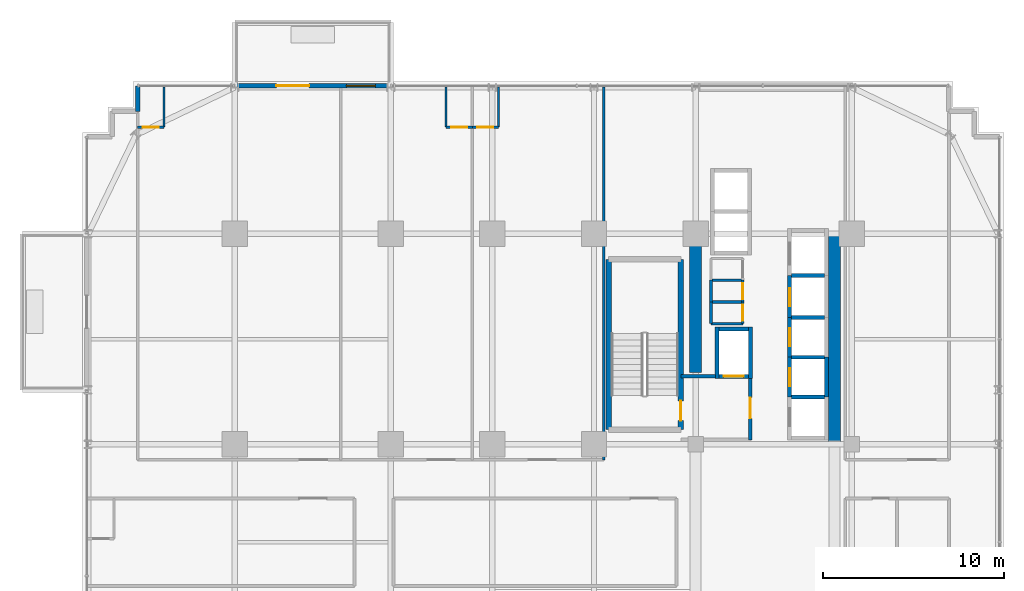
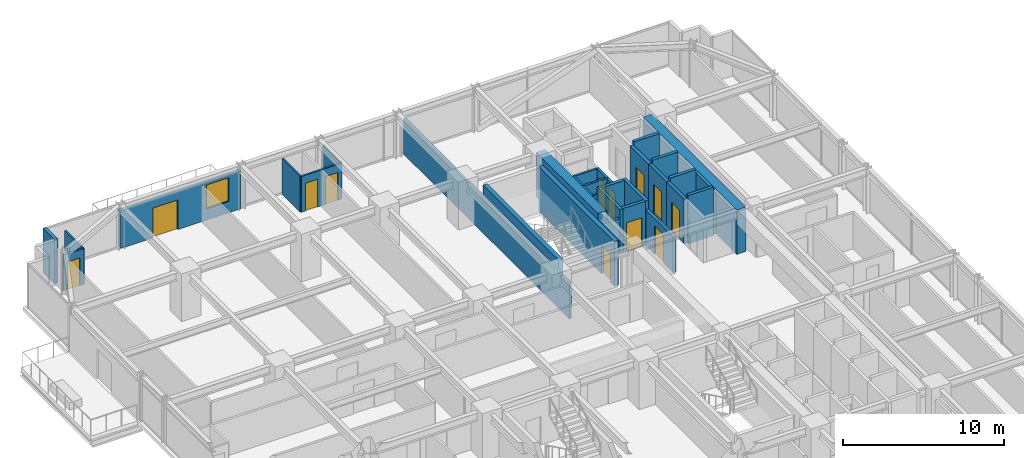
# One storey, part 31 of 36: 34 walls, 12 doors, 1 window, 13 openings.
"""IFC4 building model written with IfcOpenShell, lengths in metres."""

from ifc_helpers import new_model, si_unit, direction, frame, frame_2d, origin, place, context, subcontext, project, spatial, rectangle, extrude, source, transform, mapped, material, layer, layer_set, type_object, element, fill, save


model = new_model("IFC4")

# Units and contexts
model_context = context("Model", 3, precision=1e-05, world=origin(), true_north=direction((0.0, 1.0)))
body_context = subcontext(model_context, "Body", "Model", "MODEL_VIEW")
ifc_project = project(units=[si_unit("LENGTHUNIT", "METRE"), si_unit("AREAUNIT", "SQUARE_METRE"), si_unit("VOLUMEUNIT", "CUBIC_METRE"), si_unit("PLANEANGLEUNIT", "RADIAN"), si_unit("MASSUNIT", "GRAM", prefix="KILO")], contexts=[model_context])

# Site, building, storey
site_placement = place(None, origin())
site = spatial("IfcSite", under=ifc_project, at=site_placement, CompositionType="ELEMENT")
building_placement = place(site_placement, origin())
building = spatial("IfcBuilding", under=site, at=building_placement, Name="Nahalor Promenade Grand Hotel", CompositionType="ELEMENT")
storey_placement = place(building_placement, frame((0.0, 0.0, 76.199951171875)))
storey = spatial("IfcBuildingStorey", under=building, at=storey_placement, Name="L18", CompositionType="ELEMENT", Elevation=76.199951171875)

# Walls
ifc_material_1 = material(Name="Concrete B-60 (C50/60)", Category="concrete")
ifc_layer_1 = layer(ifc_material_1, 0.64990234375)
ifc_layer_set_1 = layer_set([ifc_layer_1], Name="Concrete B-60 (C50/60)")
wall_type_1 = type_object("IfcWallType", Name="Wall-CoreShear-650", PredefinedType="SHEAR", material=ifc_layer_set_1)
shared_shape_1 = source(origin(), body_context, "Body", "SweptSolid", [
    extrude(rectangle(XDim=7.64990234375, YDim=0.64990234375, at=frame_2d((3.824951171875, 0.0))), origin(), (0.0, 0.0, 1.0), 3.3701171875),
])
wall_1_placement = place(storey_placement, frame((8.39990234375, 9.35009765625, 0.0), z_axis=(0.0, 0.0, 1.0), x_axis=(0.0, 1.0, 0.0)))
element("IfcWall", 1, at=wall_1_placement, inside=storey, type_object=wall_type_1, Name="CWALL-L18-NW", PredefinedType="SHEAR", context=body_context, shape_type="MappedRepresentation", body=[
    mapped(shared_shape_1, transform((0.0, 0.0, 0.0), scale=1.0)),
])
shared_shape_2 = source(origin(), body_context, "Body", "SweptSolid", [
    extrude(rectangle(XDim=11.60009765625, YDim=0.64990234375, at=frame_2d((5.800048828125, 0.0))), origin(), (0.0, 0.0, 1.0), 3.3701171875),
])
wall_2_placement = place(storey_placement, frame((16.050048828125, 5.39990234375, 0.0), z_axis=(0.0, 0.0, 1.0), x_axis=(0.0, 1.0, 0.0)))
element("IfcWall", 2, at=wall_2_placement, inside=storey, type_object=wall_type_1, Name="CWALL-L18-NE", PredefinedType="SHEAR", context=body_context, shape_type="MappedRepresentation", body=[
    mapped(shared_shape_2, transform((0.0, 0.0, 0.0), scale=1.0)),
])
ifc_material_2 = material(Name="Concrete B-50 (C40/50)", Category="concrete")
ifc_layer_2 = layer(ifc_material_2, 0.300048828125)
ifc_layer_set_2 = layer_set([ifc_layer_2], Name="Concrete B-50 (C40/50)")
wall_type_2 = type_object("IfcWallType", Name="Wall-ShaftShear-300", PredefinedType="SHEAR", material=ifc_layer_set_2)
shared_shape_3 = source(origin(), body_context, "Body", "SweptSolid", [
    extrude(rectangle(XDim=9.380126953125, YDim=0.300048828125, at=frame_2d((4.68994140625, 0.0))), origin(), (0.0, 0.0, 1.0), 3.3701171875),
])
wall_3_placement = place(storey_placement, frame((3.610107421875, 6.2099609375, 0.0), z_axis=(0.0, 0.0, 1.0), x_axis=(0.0, 1.0, 0.0)))
element("IfcWall", 3, at=wall_3_placement, inside=storey, type_object=wall_type_2, Name="L18 Exit Stair ST1 Shaft Wall W", PredefinedType="SHEAR", context=body_context, shape_type="MappedRepresentation", body=[
    mapped(shared_shape_3, transform((0.0, 0.0, 0.0), scale=1.0)),
])

# Wall, opening, door
wall_4_placement = place(storey_placement, frame((7.590087890625, 6.2099609375, 0.0), z_axis=(0.0, 0.0, 1.0), x_axis=(0.0, 1.0, 0.0)))
wall_4 = element("IfcWall", 4, at=wall_4_placement, inside=storey, type_object=wall_type_2, Name="L18 Exit Stair ST1 Shaft Wall E", PredefinedType="SHEAR", context=body_context, shape_type="MappedRepresentation", body=[
    mapped(shared_shape_3, transform((0.0, 0.0, 0.0), scale=1.0)),
])
opening_1_placement = place(wall_4_placement, frame((0.489990234375, 0.0, 0.0)))
opening_1 = element("IfcOpeningElement", 5, at=opening_1_placement, cuts=wall_4, Name="Opening D-ST1", PredefinedType="OPENING", context=body_context, shape_type="SweptSolid", body=[
    extrude(rectangle(XDim=1.10009765625, YDim=2.14990234375, at=frame_2d((0.550048828125, 1.074951171875))), frame((0.0, 0.159912109375, 0.0), z_axis=(0.0, -1.0, 0.0), x_axis=(1.0, 0.0, 0.0)), (0.0, 0.0, 1.0), 0.320068359375),
])
ifc_material_3 = material(Name="Steel S355JR", Category="steel")
door_type_1 = type_object("IfcDoorType", Name="Door-StairFire-1100", OperationType="NOTDEFINED", PredefinedType="DOOR", material=ifc_material_3)
shared_shape_4 = source(origin(), body_context, "Body", "SweptSolid", [
    extrude(rectangle(XDim=1.10009765625, YDim=2.14990234375, at=frame_2d((0.550048828125, 1.074951171875))), frame((0.0, 0.02490234375, 0.0), z_axis=(0.0, -1.0, 0.0), x_axis=(1.0, 0.0, 0.0)), (0.0, 0.0, 1.0), 0.050048828125),
])
door_1_placement = place(opening_1_placement, origin())
door_1 = element("IfcDoor", 6, at=door_1_placement, inside=storey, type_object=door_type_1, Name="DR-STAIR-ST1-L18", OperationType="SINGLE_SWING_LEFT", OverallHeight=2.14990234375, OverallWidth=1.10009765625, PredefinedType="DOOR", context=body_context, shape_type="MappedRepresentation", body=[
    mapped(shared_shape_4, transform((0.0, 0.0, 0.0), scale=1.0)),
])
fill(opening_1, door_1)

# Walls
ifc_layer_3 = layer(ifc_material_2, 0.219970703125)
ifc_layer_set_3 = layer_set([ifc_layer_3], Name="Concrete B-50 (C40/50)")
wall_type_3 = type_object("IfcWallType", Name="Wall-LiftShaft-220", PredefinedType="SHEAR", material=ifc_layer_set_3)
shared_shape_5 = source(origin(), body_context, "Body", "SweptSolid", [
    extrude(rectangle(XDim=1.820068359375, YDim=0.219970703125, at=frame_2d((0.91015625, 0.0))), origin(), (0.0, 0.0, 1.0), 3.650146484375),
])
for number, where, z_axis, x_axis, name in (
    (7, (13.68994140625, 8.0, 0.0), (0.0, 0.0, 1.0), (1.0, 0.0, 0.0), "L18 Lift PL1 Hoistway Wall N"),
    (8, (13.68994140625, 10.199951171875, 0.0), (0.0, 0.0, 1.0), (1.0, 0.0, 0.0), "L18 Lift PL2 Hoistway Wall N"),
    (9, (13.68994140625, 12.39990234375, 0.0), (0.0, 0.0, 1.0), (1.0, 0.0, 0.0), "L18 Lift PL3 Hoistway Wall N"),
    (10, (13.68994140625, 14.699951171875, 0.0), (0.0, 0.0, 1.0), (1.0, 0.0, 0.0), "L18 Lift PL4 Hoistway Wall N"),
):
    element("IfcWall", number, at=place(storey_placement, frame(where, z_axis=z_axis, x_axis=x_axis)), inside=storey, type_object=wall_type_3, Name=name, PredefinedType="SHEAR", context=body_context, shape_type="MappedRepresentation", body=[
        mapped(shared_shape_5, transform((0.0, 0.0, 0.0), scale=1.0)),
    ])

# Wall, opening, door
shared_shape_6 = source(origin(), body_context, "Body", "SweptSolid", [
    extrude(rectangle(XDim=2.199951171875, YDim=0.219970703125, at=frame_2d((1.10009765625, 0.0))), origin(), (0.0, 0.0, 1.0), 3.3701171875),
])
wall_5_placement = place(storey_placement, frame((13.580078125, 8.0, 0.0), z_axis=(0.0, 0.0, 1.0), x_axis=(0.0, 1.0, 0.0)))
wall_5 = element("IfcWall", 11, at=wall_5_placement, inside=storey, type_object=wall_type_3, Name="L18 Lift PL2 Hoistway Wall W", PredefinedType="SHEAR", context=body_context, shape_type="MappedRepresentation", body=[
    mapped(shared_shape_6, transform((0.0, 0.0, 0.0), scale=1.0)),
])
opening_2_placement = place(wall_5_placement, frame((0.60009765625, 0.0, 0.0)))
opening_2 = element("IfcOpeningElement", 12, at=opening_2_placement, cuts=wall_5, Name="Opening LD-01", PredefinedType="OPENING", context=body_context, shape_type="SweptSolid", body=[
    extrude(rectangle(XDim=1.0, YDim=2.199951171875, at=frame_2d((0.5, 1.10009765625))), frame((0.0, 0.119873046875, 0.0), z_axis=(0.0, -1.0, 0.0), x_axis=(1.0, 0.0, 0.0)), (0.0, 0.0, 1.0), 0.239990234375),
])
door_type_2 = type_object("IfcDoorType", Name="Door-LiftLanding-1000", OperationType="DOUBLE_DOOR_SLIDING", PredefinedType="DOOR", material=ifc_material_3)
shared_shape_7 = source(origin(), body_context, "Body", "SweptSolid", [
    extrude(rectangle(XDim=1.0, YDim=2.199951171875, at=frame_2d((0.5, 1.10009765625))), frame((0.0, 0.02490234375, 0.0), z_axis=(0.0, -1.0, 0.0), x_axis=(1.0, 0.0, 0.0)), (0.0, 0.0, 1.0), 0.050048828125),
])
door_2_placement = place(opening_2_placement, origin())
door_2 = element("IfcDoor", 13, at=door_2_placement, inside=storey, type_object=door_type_2, Name="DR-LIFT-PL2-L18", OperationType="DOUBLE_DOOR_SLIDING", OverallHeight=2.199951171875, OverallWidth=1.0, PredefinedType="DOOR", context=body_context, shape_type="MappedRepresentation", body=[
    mapped(shared_shape_7, transform((0.0, 0.0, 0.0), scale=1.0)),
])
fill(opening_2, door_2)

# Wall
wall_6_placement = place(storey_placement, frame((15.6201171875, 8.0, 0.0), z_axis=(0.0, 0.0, 1.0), x_axis=(0.0, 1.0, 0.0)))
element("IfcWall", 14, at=wall_6_placement, inside=storey, type_object=wall_type_3, Name="L18 Lift PL2 Hoistway Wall E", PredefinedType="SHEAR", context=body_context, shape_type="MappedRepresentation", body=[
    mapped(shared_shape_6, transform((0.0, 0.0, 0.0), scale=1.0)),
])

# Wall, opening, door
wall_7_placement = place(storey_placement, frame((13.580078125, 10.199951171875, 0.0), z_axis=(0.0, 0.0, 1.0), x_axis=(0.0, 1.0, 0.0)))
wall_7 = element("IfcWall", 15, at=wall_7_placement, inside=storey, type_object=wall_type_3, Name="L18 Lift PL3 Hoistway Wall W", PredefinedType="SHEAR", context=body_context, shape_type="MappedRepresentation", body=[
    mapped(shared_shape_6, transform((0.0, 0.0, 0.0), scale=1.0)),
])
opening_3_placement = place(wall_7_placement, frame((0.60009765625, 0.0, 0.0)))
opening_3 = element("IfcOpeningElement", 16, at=opening_3_placement, cuts=wall_7, Name="Opening LD-01", PredefinedType="OPENING", context=body_context, shape_type="SweptSolid", body=[
    extrude(rectangle(XDim=1.0, YDim=2.199951171875, at=frame_2d((0.5, 1.10009765625))), frame((0.0, 0.119873046875, 0.0), z_axis=(0.0, -1.0, 0.0), x_axis=(1.0, 0.0, 0.0)), (0.0, 0.0, 1.0), 0.239990234375),
])
door_3_placement = place(opening_3_placement, origin())
door_3 = element("IfcDoor", 17, at=door_3_placement, inside=storey, type_object=door_type_2, Name="DR-LIFT-PL3-L18", OperationType="DOUBLE_DOOR_SLIDING", OverallHeight=2.199951171875, OverallWidth=1.0, PredefinedType="DOOR", context=body_context, shape_type="MappedRepresentation", body=[
    mapped(shared_shape_7, transform((0.0, 0.0, 0.0), scale=1.0)),
])
fill(opening_3, door_3)

shared_shape_8 = source(origin(), body_context, "Body", "SweptSolid", [
    extrude(rectangle(XDim=2.300048828125, YDim=0.219970703125, at=frame_2d((1.14990234375, 0.0))), origin(), (0.0, 0.0, 1.0), 3.3701171875),
])
wall_8_placement = place(storey_placement, frame((13.580078125, 12.39990234375, 0.0), z_axis=(0.0, 0.0, 1.0), x_axis=(0.0, 1.0, 0.0)))
wall_8 = element("IfcWall", 18, at=wall_8_placement, inside=storey, type_object=wall_type_3, Name="L18 Lift PL4 Hoistway Wall W", PredefinedType="SHEAR", context=body_context, shape_type="MappedRepresentation", body=[
    mapped(shared_shape_8, transform((0.0, 0.0, 0.0), scale=1.0)),
])
opening_4_placement = place(wall_8_placement, frame((0.60009765625, 0.0, 0.0)))
opening_4 = element("IfcOpeningElement", 19, at=opening_4_placement, cuts=wall_8, Name="Opening LD-01", PredefinedType="OPENING", context=body_context, shape_type="SweptSolid", body=[
    extrude(rectangle(XDim=1.0, YDim=2.199951171875, at=frame_2d((0.5, 1.10009765625))), frame((0.0, 0.119873046875, 0.0), z_axis=(0.0, -1.0, 0.0), x_axis=(1.0, 0.0, 0.0)), (0.0, 0.0, 1.0), 0.239990234375),
])
door_4_placement = place(opening_4_placement, origin())
door_4 = element("IfcDoor", 20, at=door_4_placement, inside=storey, type_object=door_type_2, Name="DR-LIFT-PL4-L18", OperationType="DOUBLE_DOOR_SLIDING", OverallHeight=2.199951171875, OverallWidth=1.0, PredefinedType="DOOR", context=body_context, shape_type="MappedRepresentation", body=[
    mapped(shared_shape_7, transform((0.0, 0.0, 0.0), scale=1.0)),
])
fill(opening_4, door_4)

# Walls
shared_shape_9 = source(origin(), body_context, "Body", "SweptSolid", [
    extrude(rectangle(XDim=2.820068359375, YDim=0.219970703125, at=frame_2d((1.41015625, 0.0))), origin(), (0.0, 0.0, 1.0), 3.3701171875),
])
for number, where, z_axis, x_axis, name in (
    (21, (9.580078125, 9.0400390625, 0.0), (0.0, 0.0, 1.0), (0.0, 1.0, 0.0), "L18 Lift FL1 Hoistway Wall W"),
    (22, (11.419921875, 9.0400390625, 0.0), (0.0, 0.0, 1.0), (0.0, 1.0, 0.0), "L18 Lift FL1 Hoistway Wall E"),
):
    element("IfcWall", number, at=place(storey_placement, frame(where, z_axis=z_axis, x_axis=x_axis)), inside=storey, type_object=wall_type_3, Name=name, PredefinedType="SHEAR", context=body_context, shape_type="MappedRepresentation", body=[
        mapped(shared_shape_9, transform((0.0, 0.0, 0.0), scale=1.0)),
    ])

# Wall, opening, door
shared_shape_10 = source(origin(), body_context, "Body", "SweptSolid", [
    extrude(rectangle(XDim=1.6201171875, YDim=0.219970703125, at=frame_2d((0.81005859375, 0.0))), origin(), (0.0, 0.0, 1.0), 3.3701171875),
])
wall_9_placement = place(storey_placement, frame((9.68994140625, 9.14990234375, 0.0), z_axis=(0.0, 0.0, 1.0), x_axis=(1.0, 0.0, 0.0)))
wall_9 = element("IfcWall", 23, at=wall_9_placement, inside=storey, type_object=wall_type_3, Name="L18 Lift FL1 Hoistway Wall S", PredefinedType="SHEAR", context=body_context, shape_type="MappedRepresentation", body=[
    mapped(shared_shape_10, transform((0.0, 0.0, 0.0), scale=1.0)),
])
opening_5_placement = place(wall_9_placement, frame((0.260009765625, 0.0, 0.0)))
opening_5 = element("IfcOpeningElement", 24, at=opening_5_placement, cuts=wall_9, Name="Opening LD-02", PredefinedType="OPENING", context=body_context, shape_type="SweptSolid", body=[
    extrude(rectangle(XDim=1.10009765625, YDim=2.199951171875, at=frame_2d((0.550048828125, 1.10009765625))), frame((0.0, 0.119873046875, 0.0), z_axis=(0.0, -1.0, 0.0), x_axis=(1.0, 0.0, 0.0)), (0.0, 0.0, 1.0), 0.239990234375),
])
door_type_3 = type_object("IfcDoorType", Name="Door-LiftFF-1100", OperationType="DOUBLE_DOOR_SLIDING", PredefinedType="DOOR", material=ifc_material_3)
shared_shape_11 = source(origin(), body_context, "Body", "SweptSolid", [
    extrude(rectangle(XDim=1.10009765625, YDim=2.199951171875, at=frame_2d((0.550048828125, 1.10009765625))), frame((0.0, 0.02490234375, 0.0), z_axis=(0.0, -1.0, 0.0), x_axis=(1.0, 0.0, 0.0)), (0.0, 0.0, 1.0), 0.050048828125),
])
door_5_placement = place(opening_5_placement, frame((1.10009765625, 0.0, 0.0), z_axis=(0.0, 0.0, 1.0), x_axis=(-1.0, 0.0, 0.0)))
door_5 = element("IfcDoor", 25, at=door_5_placement, inside=storey, type_object=door_type_3, Name="DR-LIFT-FL1-L18", OperationType="DOUBLE_DOOR_SLIDING", OverallHeight=2.199951171875, OverallWidth=1.10009765625, PredefinedType="DOOR", context=body_context, shape_type="MappedRepresentation", body=[
    mapped(shared_shape_11, transform((0.0, 0.0, 0.0), scale=1.0)),
])
fill(opening_5, door_5)

# Walls
wall_10_placement = place(storey_placement, frame((9.68994140625, 11.75, 0.0), z_axis=(0.0, 0.0, 1.0), x_axis=(1.0, 0.0, 0.0)))
element("IfcWall", 26, at=wall_10_placement, inside=storey, type_object=wall_type_3, Name="L18 Lift FL1 Hoistway Wall N", PredefinedType="SHEAR", context=body_context, shape_type="MappedRepresentation", body=[
    mapped(shared_shape_10, transform((0.0, 0.0, 0.0), scale=1.0)),
])
ifc_material_4 = material(Name="Concrete B-40 (C32/40)", Category="concrete")
ifc_layer_4 = layer(ifc_material_4, 0.25)
ifc_layer_set_4 = layer_set([ifc_layer_4], Name="Concrete B-40 (C32/40)")
wall_type_4 = type_object("IfcWallType", Name="Wall-BronzePier-250", PredefinedType="STANDARD", material=ifc_layer_set_4)
shared_shape_12 = source(origin(), body_context, "Body", "SweptSolid", [
    extrude(rectangle(XDim=1.39990234375, YDim=0.25, at=frame_2d((0.699951171875, 0.0))), origin(), (0.0, 0.0, 1.0), 3.3701171875),
])
wall_11_placement = place(storey_placement, frame((-22.360107421875, 23.760009765625, 0.0), z_axis=(0.0, 0.0, 1.0), x_axis=(0.0, 1.0, 0.0)))
element("IfcWall", 27, at=wall_11_placement, inside=storey, type_object=wall_type_4, Name="W-L18-SR-09", PredefinedType="STANDARD", context=body_context, shape_type="MappedRepresentation", body=[
    mapped(shared_shape_12, transform((0.0, 0.0, 0.0), scale=1.0)),
])

# Wall, openings, door, window
ifc_layer_5 = layer(ifc_material_4, 0.260009765625)
ifc_layer_set_5 = layer_set([ifc_layer_5], Name="Concrete B-40 (C32/40)")
wall_type_5 = type_object("IfcWallType", Name="Wall-BalconyWall-260", PredefinedType="STANDARD", material=ifc_layer_set_5)
shared_shape_13 = source(origin(), body_context, "Body", "SweptSolid", [
    extrude(rectangle(XDim=8.60009765625, YDim=0.260009765625, at=frame_2d((4.300048828125, 0.0))), origin(), (0.0, 0.0, 1.0), 2.85009765625),
])
wall_12_placement = place(storey_placement, frame((-17.0, 25.159912109375, 0.0), z_axis=(0.0, 0.0, 1.0), x_axis=(1.0, 0.0, 0.0)))
wall_12 = element("IfcWall", 28, at=wall_12_placement, inside=storey, type_object=wall_type_5, Name="W-L18-BALC-N-2", PredefinedType="STANDARD", context=body_context, shape_type="MappedRepresentation", body=[
    mapped(shared_shape_13, transform((0.0, 0.0, 0.0), scale=1.0)),
])
opening_6_placement = place(wall_12_placement, frame((2.294921875, 0.0, 0.0)))
opening_6 = element("IfcOpeningElement", 29, at=opening_6_placement, cuts=wall_12, Name="Opening D-BC1", PredefinedType="OPENING", context=body_context, shape_type="SweptSolid", body=[
    extrude(rectangle(XDim=1.800048828125, YDim=2.25, at=frame_2d((0.89990234375, 1.125))), frame((0.0, 0.139892578125, 0.0), z_axis=(0.0, -1.0, 0.0), x_axis=(1.0, 0.0, 0.0)), (0.0, 0.0, 1.0), 0.280029296875),
])
opening_7_placement = place(wall_12_placement, frame((6.14501953125, 0.0, 0.85009765625)))
opening_7 = element("IfcOpeningElement", 30, at=opening_7_placement, cuts=wall_12, Name="Opening WN-03", PredefinedType="OPENING", context=body_context, shape_type="SweptSolid", body=[
    extrude(rectangle(XDim=1.60009765625, YDim=1.800048828125, at=frame_2d((0.800048828125, 0.89990234375))), frame((0.0, 0.139892578125, 0.0), z_axis=(0.0, -1.0, 0.0), x_axis=(1.0, 0.0, 0.0)), (0.0, 0.0, 1.0), 0.280029296875),
])
ifc_material_5 = material(Name="Anodised Bronze Aluminium EN AW-6063 T6", Category="aluminium")
door_type_4 = type_object("IfcDoorType", Name="Door-BalconySlide-1800", OperationType="DOUBLE_DOOR_SLIDING", PredefinedType="DOOR", material=ifc_material_5)
shared_shape_14 = source(origin(), body_context, "Body", "SweptSolid", [
    extrude(rectangle(XDim=1.800048828125, YDim=2.25, at=frame_2d((0.89990234375, 1.125))), frame((0.0, 0.02490234375, 0.0), z_axis=(0.0, -1.0, 0.0), x_axis=(1.0, 0.0, 0.0)), (0.0, 0.0, 1.0), 0.050048828125),
])
door_6_placement = place(opening_6_placement, origin())
door_6 = element("IfcDoor", 31, at=door_6_placement, inside=storey, type_object=door_type_4, Name="DR-L18-BALC-N-2", OperationType="DOUBLE_DOOR_SLIDING", OverallHeight=2.25, OverallWidth=1.800048828125, PredefinedType="DOOR", context=body_context, shape_type="MappedRepresentation", body=[
    mapped(shared_shape_14, transform((0.0, 0.0, 0.0), scale=1.0)),
])
fill(opening_6, door_6)
ifc_material_6 = material(Name="Low-E Laminated Solar Glass", Category="glass")
window_type = type_object("IfcWindowType", Name="Win-CrownVented-1600x1800", PartitioningType="SINGLE_PANEL", PredefinedType="WINDOW", material=ifc_material_6)
shared_shape_15 = source(origin(), body_context, "Body", "SweptSolid", [
    extrude(rectangle(XDim=1.60009765625, YDim=1.800048828125, at=frame_2d((0.800048828125, 0.89990234375))), frame((0.0, 0.030029296875, 0.0), z_axis=(0.0, -1.0, 0.0), x_axis=(1.0, 0.0, 0.0)), (0.0, 0.0, 1.0), 0.06005859375),
])
window_placement = place(opening_7_placement, origin())
window = element("IfcWindow", 32, at=window_placement, inside=storey, type_object=window_type, Name="WN-L18-BALC-N-2-1", OverallHeight=1.800048828125, OverallWidth=1.60009765625, PartitioningType="SINGLE_PANEL", PredefinedType="WINDOW", context=body_context, shape_type="MappedRepresentation", body=[
    mapped(shared_shape_15, transform((0.0, 0.0, 0.0), scale=1.0)),
])
fill(opening_7, window)

# Wall
ifc_layer_6 = layer(ifc_material_4, 0.199951171875)
ifc_layer_set_6 = layer_set([ifc_layer_6], Name="Concrete B-40 (C32/40)")
wall_type_6 = type_object("IfcWallType", Name="Wall-PartFire-200", PredefinedType="PARTITIONING", material=ifc_layer_set_6)
shared_shape_16 = source(origin(), body_context, "Body", "SweptSolid", [
    extrude(rectangle(XDim=1.89990234375, YDim=0.199951171875, at=frame_2d((0.949951171875, 0.0))), origin(), (0.0, 0.0, 1.0), 2.7099609375),
])
wall_13_placement = place(storey_placement, frame((7.60009765625, 9.14990234375, 0.0), z_axis=(0.0, 0.0, 1.0), x_axis=(1.0, 0.0, 0.0)))
element("IfcWall", 33, at=wall_13_placement, inside=storey, type_object=wall_type_6, Name="W-L18-FF1-N", PredefinedType="PARTITIONING", context=body_context, shape_type="MappedRepresentation", body=[
    mapped(shared_shape_16, transform((0.0, 0.0, 0.0), scale=1.0)),
])

# Wall, opening, door
shared_shape_17 = source(origin(), body_context, "Body", "SweptSolid", [
    extrude(rectangle(XDim=3.5, YDim=0.199951171875, at=frame_2d((1.75, 0.0))), origin(), (0.0, 0.0, 1.0), 2.7099609375),
])
wall_14_placement = place(storey_placement, frame((11.419921875, 5.64990234375, 0.0), z_axis=(0.0, 0.0, 1.0), x_axis=(0.0, 1.0, 0.0)))
wall_14 = element("IfcWall", 34, at=wall_14_placement, inside=storey, type_object=wall_type_6, Name="W-L18-FF1-E", PredefinedType="PARTITIONING", context=body_context, shape_type="MappedRepresentation", body=[
    mapped(shared_shape_17, transform((0.0, 0.0, 0.0), scale=1.0)),
])
opening_8_placement = place(wall_14_placement, frame((1.175048828125, 0.0, 0.0)))
opening_8 = element("IfcOpeningElement", 35, at=opening_8_placement, cuts=wall_14, Name="Opening D-FF1", PredefinedType="OPENING", context=body_context, shape_type="SweptSolid", body=[
    extrude(rectangle(XDim=1.14990234375, YDim=2.14990234375, at=frame_2d((0.574951171875, 1.074951171875))), frame((0.0, 0.10986328125, 0.0), z_axis=(0.0, -1.0, 0.0), x_axis=(1.0, 0.0, 0.0)), (0.0, 0.0, 1.0), 0.219970703125),
])
door_type_5 = type_object("IfcDoorType", Name="Door-FFLobby-1150", OperationType="NOTDEFINED", PredefinedType="DOOR", material=ifc_material_3)
shared_shape_18 = source(origin(), body_context, "Body", "SweptSolid", [
    extrude(rectangle(XDim=1.14990234375, YDim=2.14990234375, at=frame_2d((0.574951171875, 1.074951171875))), frame((0.0, 0.02490234375, 0.0), z_axis=(0.0, -1.0, 0.0), x_axis=(1.0, 0.0, 0.0)), (0.0, 0.0, 1.0), 0.050048828125),
])
door_7_placement = place(opening_8_placement, frame((1.14990234375, 0.0, 0.0), z_axis=(0.0, 0.0, 1.0), x_axis=(-1.0, 0.0, 0.0)))
door_7 = element("IfcDoor", 36, at=door_7_placement, inside=storey, type_object=door_type_5, Name="DR-L18-FFL1", OperationType="SINGLE_SWING_LEFT", OverallHeight=2.14990234375, OverallWidth=1.14990234375, PredefinedType="DOOR", context=body_context, shape_type="MappedRepresentation", body=[
    mapped(shared_shape_18, transform((0.0, 0.0, 0.0), scale=1.0)),
])
fill(opening_8, door_7)

# Walls
ifc_material_7 = material(Name="Acoustic Mineral Gypsum", Category="gypsum")
ifc_layer_7 = layer(ifc_material_7, 0.14990234375)
ifc_layer_set_7 = layer_set([ifc_layer_7], Name="Acoustic Mineral Gypsum")
wall_type_7 = type_object("IfcWallType", Name="Wall-PartService-150", PredefinedType="PARTITIONING", material=ifc_layer_set_7)
shared_shape_19 = source(origin(), body_context, "Body", "SweptSolid", [
    extrude(rectangle(XDim=1.75, YDim=0.14990234375, at=frame_2d((0.875, 0.0))), origin(), (0.0, 0.0, 1.0), 2.7099609375),
])
for number, where, z_axis, x_axis, name in (
    (37, (9.25, 12.050048828125, 0.0), (0.0, 0.0, 1.0), (1.0, 0.0, 0.0), "W-L18-CK3A-S"),
    (38, (9.25, 13.25, 0.0), (0.0, 0.0, 1.0), (1.0, 0.0, 0.0), "W-L18-CK3A-N"),
    (39, (9.25, 14.449951171875, 0.0), (0.0, 0.0, 1.0), (1.0, 0.0, 0.0), "W-L18-CK3B-N"),
):
    element("IfcWall", number, at=place(storey_placement, frame(where, z_axis=z_axis, x_axis=x_axis)), inside=storey, type_object=wall_type_7, Name=name, PredefinedType="PARTITIONING", context=body_context, shape_type="MappedRepresentation", body=[
        mapped(shared_shape_19, transform((0.0, 0.0, 0.0), scale=1.0)),
    ])
ifc_layer_8 = layer(ifc_material_7, 0.139892578125)
ifc_layer_set_8 = layer_set([ifc_layer_8], Name="Acoustic Mineral Gypsum")
wall_type_8 = type_object("IfcWallType", Name="Wall-PartSuite-140", PredefinedType="PARTITIONING", material=ifc_layer_set_8)
shared_shape_20 = source(origin(), body_context, "Body", "SweptSolid", [
    extrude(rectangle(XDim=20.550048828125, YDim=0.139892578125, at=frame_2d((10.27490234375, 0.0))), origin(), (0.0, 0.0, 1.0), 2.7099609375),
])
wall_15_placement = place(storey_placement, frame((3.340087890625, 4.550048828125, 0.0), z_axis=(0.0, 0.0, 1.0), x_axis=(0.0, 1.0, 0.0)))
element("IfcWall", 40, at=wall_15_placement, inside=storey, type_object=wall_type_8, Name="W-L18-NW-ENDE", PredefinedType="PARTITIONING", context=body_context, shape_type="MappedRepresentation", body=[
    mapped(shared_shape_20, transform((0.0, 0.0, 0.0), scale=1.0)),
])

# Wall, opening, door
ifc_layer_9 = layer(ifc_material_7, 0.1201171875)
ifc_layer_set_9 = layer_set([ifc_layer_9], Name="Acoustic Mineral Gypsum")
wall_type_9 = type_object("IfcWallType", Name="Wall-PartBath-120", PredefinedType="PARTITIONING", material=ifc_layer_set_9)
shared_shape_21 = source(origin(), body_context, "Body", "SweptSolid", [
    extrude(rectangle(XDim=1.4501953125, YDim=0.1201171875, at=frame_2d((0.72509765625, 0.0))), origin(), (0.0, 0.0, 1.0), 2.7099609375),
])
wall_16_placement = place(storey_placement, frame((-22.360107421875, 22.8798828125, 0.0), z_axis=(0.0, 0.0, 1.0), x_axis=(1.0, 0.0, 0.0)))
wall_16 = element("IfcWall", 41, at=wall_16_placement, inside=storey, type_object=wall_type_9, Name="W-L18-N1-BH", PredefinedType="PARTITIONING", context=body_context, shape_type="MappedRepresentation", body=[
    mapped(shared_shape_21, transform((0.0, 0.0, 0.0), scale=1.0)),
])
opening_9_placement = place(wall_16_placement, frame((0.284912109375, 0.0, 0.0)))
opening_9 = element("IfcOpeningElement", 42, at=opening_9_placement, cuts=wall_16, Name="Opening D-03", PredefinedType="OPENING", context=body_context, shape_type="SweptSolid", body=[
    extrude(rectangle(XDim=0.8798828125, YDim=2.10009765625, at=frame_2d((0.43994140625, 1.050048828125))), frame((0.0, 0.070068359375, 0.0), z_axis=(0.0, -1.0, 0.0), x_axis=(1.0, 0.0, 0.0)), (0.0, 0.0, 1.0), 0.14013671875),
])
ifc_material_8 = material(Name="Fire-Rated Timber Composite", Category="wood")
door_type_6 = type_object("IfcDoorType", Name="Door-BathSwing-880", OperationType="NOTDEFINED", PredefinedType="DOOR", material=ifc_material_8)
shared_shape_22 = source(origin(), body_context, "Body", "SweptSolid", [
    extrude(rectangle(XDim=0.8798828125, YDim=2.10009765625, at=frame_2d((0.43994140625, 1.050048828125))), frame((0.0, 0.02490234375, 0.0), z_axis=(0.0, -1.0, 0.0), x_axis=(1.0, 0.0, 0.0)), (0.0, 0.0, 1.0), 0.050048828125),
])
door_8_placement = place(opening_9_placement, origin())
door_8 = element("IfcDoor", 43, at=door_8_placement, inside=storey, type_object=door_type_6, Name="DR-L18-N1-BATH", OperationType="SINGLE_SWING_RIGHT", OverallHeight=2.10009765625, OverallWidth=0.8798828125, PredefinedType="DOOR", context=body_context, shape_type="MappedRepresentation", body=[
    mapped(shared_shape_22, transform((0.0, 0.0, 0.0), scale=1.0)),
])
fill(opening_9, door_8)

wall_17_placement = place(storey_placement, frame((-5.360107421875, 22.8798828125, 0.0), z_axis=(0.0, 0.0, 1.0), x_axis=(1.0, 0.0, 0.0)))
wall_17 = element("IfcWall", 44, at=wall_17_placement, inside=storey, type_object=wall_type_9, Name="W-L18-N2-BH", PredefinedType="PARTITIONING", context=body_context, shape_type="MappedRepresentation", body=[
    mapped(shared_shape_21, transform((0.0, 0.0, 0.0), scale=1.0)),
])
opening_10_placement = place(wall_17_placement, frame((0.284912109375, 0.0, 0.0)))
opening_10 = element("IfcOpeningElement", 45, at=opening_10_placement, cuts=wall_17, Name="Opening D-03", PredefinedType="OPENING", context=body_context, shape_type="SweptSolid", body=[
    extrude(rectangle(XDim=0.8798828125, YDim=2.10009765625, at=frame_2d((0.43994140625, 1.050048828125))), frame((0.0, 0.070068359375, 0.0), z_axis=(0.0, -1.0, 0.0), x_axis=(1.0, 0.0, 0.0)), (0.0, 0.0, 1.0), 0.14013671875),
])
door_9_placement = place(opening_10_placement, origin())
door_9 = element("IfcDoor", 46, at=door_9_placement, inside=storey, type_object=door_type_6, Name="DR-L18-N2-BATH", OperationType="SINGLE_SWING_LEFT", OverallHeight=2.10009765625, OverallWidth=0.8798828125, PredefinedType="DOOR", context=body_context, shape_type="MappedRepresentation", body=[
    mapped(shared_shape_22, transform((0.0, 0.0, 0.0), scale=1.0)),
])
fill(opening_10, door_9)

# Walls
shared_shape_23 = source(origin(), body_context, "Body", "SweptSolid", [
    extrude(rectangle(XDim=2.22021484375, YDim=0.1201171875, at=frame_2d((1.110107421875, 0.0))), origin(), (0.0, 0.0, 1.0), 2.7099609375),
])
for number, where, z_axis, x_axis, name in (
    (47, (-20.909912109375, 22.8798828125, 0.0), (0.0, 0.0, 1.0), (0.0, 1.0, 0.0), "W-L18-N1-BV"),
    (48, (-5.360107421875, 22.8798828125, 0.0), (0.0, 0.0, 1.0), (0.0, 1.0, 0.0), "W-L18-N2-BV"),
    (49, (-2.4599609375, 22.8798828125, 0.0), (0.0, 0.0, 1.0), (0.0, 1.0, 0.0), "W-L18-N3-BV"),
):
    element("IfcWall", number, at=place(storey_placement, frame(where, z_axis=z_axis, x_axis=x_axis)), inside=storey, type_object=wall_type_9, Name=name, PredefinedType="PARTITIONING", context=body_context, shape_type="MappedRepresentation", body=[
        mapped(shared_shape_23, transform((0.0, 0.0, 0.0), scale=1.0)),
    ])

# Wall, opening, door
shared_shape_24 = source(origin(), body_context, "Body", "SweptSolid", [
    extrude(rectangle(XDim=1.449951171875, YDim=0.1201171875, at=frame_2d((0.72509765625, 0.0))), origin(), (0.0, 0.0, 1.0), 2.7099609375),
])
wall_18_placement = place(storey_placement, frame((-3.909912109375, 22.8798828125, 0.0), z_axis=(0.0, 0.0, 1.0), x_axis=(1.0, 0.0, 0.0)))
wall_18 = element("IfcWall", 50, at=wall_18_placement, inside=storey, type_object=wall_type_9, Name="W-L18-N3-BH", PredefinedType="PARTITIONING", context=body_context, shape_type="MappedRepresentation", body=[
    mapped(shared_shape_24, transform((0.0, 0.0, 0.0), scale=1.0)),
])
opening_11_placement = place(wall_18_placement, frame((0.284912109375, 0.0, 0.0)))
opening_11 = element("IfcOpeningElement", 51, at=opening_11_placement, cuts=wall_18, Name="Opening D-03", PredefinedType="OPENING", context=body_context, shape_type="SweptSolid", body=[
    extrude(rectangle(XDim=0.8798828125, YDim=2.10009765625, at=frame_2d((0.43994140625, 1.050048828125))), frame((0.0, 0.070068359375, 0.0), z_axis=(0.0, -1.0, 0.0), x_axis=(1.0, 0.0, 0.0)), (0.0, 0.0, 1.0), 0.14013671875),
])
door_10_placement = place(opening_11_placement, origin())
door_10 = element("IfcDoor", 52, at=door_10_placement, inside=storey, type_object=door_type_6, Name="DR-L18-N3-BATH", OperationType="SINGLE_SWING_RIGHT", OverallHeight=2.10009765625, OverallWidth=0.8798828125, PredefinedType="DOOR", context=body_context, shape_type="MappedRepresentation", body=[
    mapped(shared_shape_22, transform((0.0, 0.0, 0.0), scale=1.0)),
])
fill(opening_11, door_10)

# Wall
shared_shape_25 = source(origin(), body_context, "Body", "SweptSolid", [
    extrude(rectangle(XDim=1.199951171875, YDim=0.14990234375, at=frame_2d((0.60009765625, 0.0))), origin(), (0.0, 0.0, 1.0), 2.7099609375),
])
wall_19_placement = place(storey_placement, frame((9.25, 12.050048828125, 0.0), z_axis=(0.0, 0.0, 1.0), x_axis=(0.0, 1.0, 0.0)))
element("IfcWall", 53, at=wall_19_placement, inside=storey, type_object=wall_type_7, Name="W-L18-CK3A-W", PredefinedType="PARTITIONING", context=body_context, shape_type="MappedRepresentation", body=[
    mapped(shared_shape_25, transform((0.0, 0.0, 0.0), scale=1.0)),
])

# Wall, opening, door
wall_20_placement = place(storey_placement, frame((11.0, 12.050048828125, 0.0), z_axis=(0.0, 0.0, 1.0), x_axis=(0.0, 1.0, 0.0)))
wall_20 = element("IfcWall", 54, at=wall_20_placement, inside=storey, type_object=wall_type_7, Name="W-L18-CK3A-E", PredefinedType="PARTITIONING", context=body_context, shape_type="MappedRepresentation", body=[
    mapped(shared_shape_25, transform((0.0, 0.0, 0.0), scale=1.0)),
])
opening_12_placement = place(wall_20_placement, frame((0.159912109375, 0.0, 0.0)))
opening_12 = element("IfcOpeningElement", 55, at=opening_12_placement, cuts=wall_20, Name="Opening D-03", PredefinedType="OPENING", context=body_context, shape_type="SweptSolid", body=[
    extrude(rectangle(XDim=0.8798828125, YDim=2.10009765625, at=frame_2d((0.43994140625, 1.050048828125))), frame((0.0, 0.0849609375, 0.0), z_axis=(0.0, -1.0, 0.0), x_axis=(1.0, 0.0, 0.0)), (0.0, 0.0, 1.0), 0.169921875),
])
door_11_placement = place(opening_12_placement, origin())
door_11 = element("IfcDoor", 56, at=door_11_placement, inside=storey, type_object=door_type_6, Name="DR-L18-CK3A", OperationType="SINGLE_SWING_LEFT", OverallHeight=2.10009765625, OverallWidth=0.8798828125, PredefinedType="DOOR", context=body_context, shape_type="MappedRepresentation", body=[
    mapped(shared_shape_22, transform((0.0, 0.0, 0.0), scale=1.0)),
])
fill(opening_12, door_11)

# Wall
wall_21_placement = place(storey_placement, frame((9.25, 13.25, 0.0), z_axis=(0.0, 0.0, 1.0), x_axis=(0.0, 1.0, 0.0)))
element("IfcWall", 57, at=wall_21_placement, inside=storey, type_object=wall_type_7, Name="W-L18-CK3B-W", PredefinedType="PARTITIONING", context=body_context, shape_type="MappedRepresentation", body=[
    mapped(shared_shape_25, transform((0.0, 0.0, 0.0), scale=1.0)),
])

# Wall, opening, door
wall_22_placement = place(storey_placement, frame((11.0, 13.25, 0.0), z_axis=(0.0, 0.0, 1.0), x_axis=(0.0, 1.0, 0.0)))
wall_22 = element("IfcWall", 58, at=wall_22_placement, inside=storey, type_object=wall_type_7, Name="W-L18-CK3B-E", PredefinedType="PARTITIONING", context=body_context, shape_type="MappedRepresentation", body=[
    mapped(shared_shape_25, transform((0.0, 0.0, 0.0), scale=1.0)),
])
opening_13_placement = place(wall_22_placement, frame((0.159912109375, 0.0, 0.0)))
opening_13 = element("IfcOpeningElement", 59, at=opening_13_placement, cuts=wall_22, Name="Opening D-03", PredefinedType="OPENING", context=body_context, shape_type="SweptSolid", body=[
    extrude(rectangle(XDim=0.8798828125, YDim=2.10009765625, at=frame_2d((0.43994140625, 1.050048828125))), frame((0.0, 0.0849609375, 0.0), z_axis=(0.0, -1.0, 0.0), x_axis=(1.0, 0.0, 0.0)), (0.0, 0.0, 1.0), 0.169921875),
])
door_12_placement = place(opening_13_placement, origin())
door_12 = element("IfcDoor", 60, at=door_12_placement, inside=storey, type_object=door_type_6, Name="DR-L18-CK3B", OperationType="SINGLE_SWING_RIGHT", OverallHeight=2.10009765625, OverallWidth=0.8798828125, PredefinedType="DOOR", context=body_context, shape_type="MappedRepresentation", body=[
    mapped(shared_shape_22, transform((0.0, 0.0, 0.0), scale=1.0)),
])
fill(opening_13, door_12)

save(model, "model.ifc")
